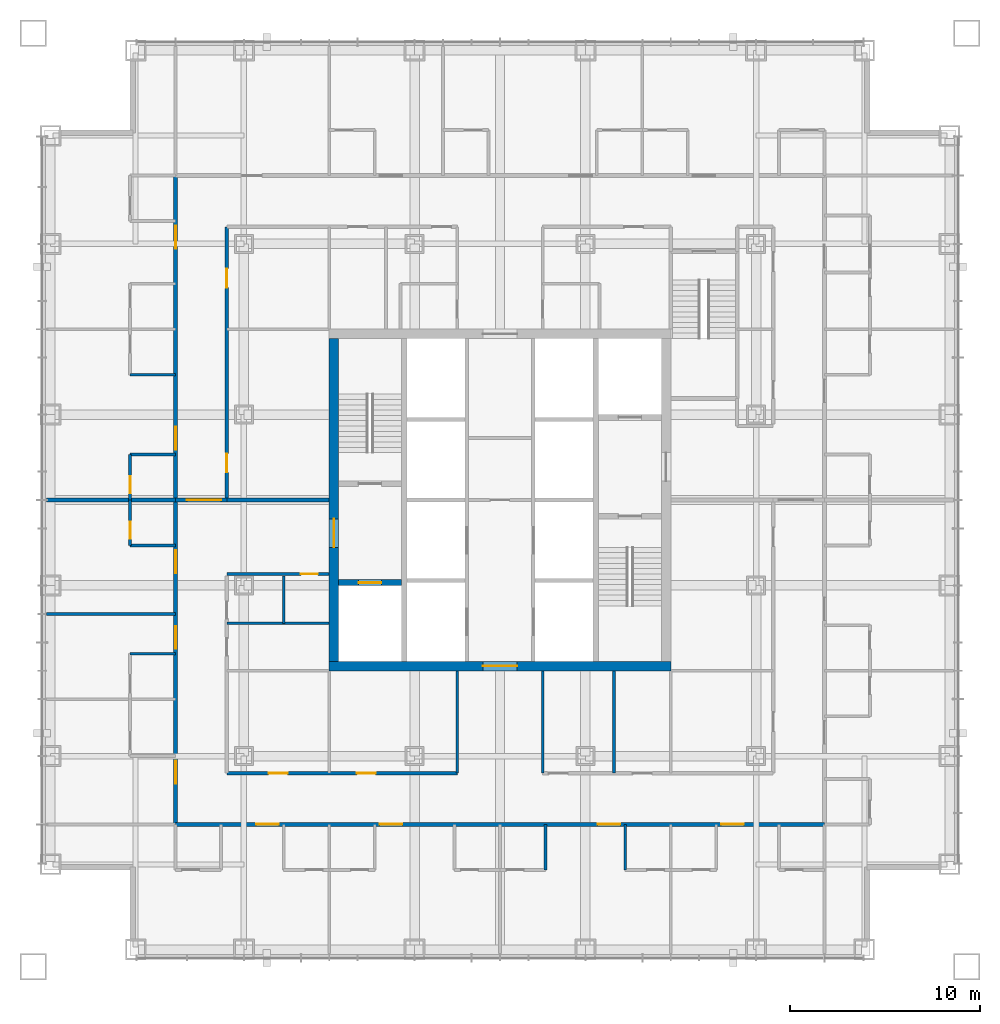
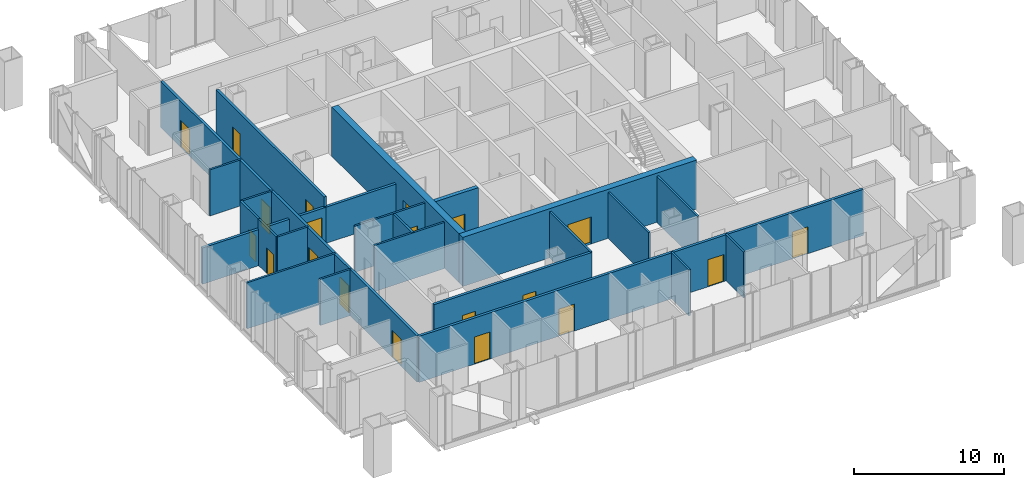
# One storey, part 9 of 14: 25 walls, 20 doors, 20 openings.
"""IFC4 building model written with IfcOpenShell, lengths in metres."""

from ifc_helpers import new_model, si_unit, direction, frame, frame_2d, origin, place, context, subcontext, project, spatial, rectangle, extrude, material, layer, layer_set, type_object, element, fill, save


model = new_model("IFC4")

# Units and contexts
model_context = context("Model", 3, precision=1e-05, world=origin(), true_north=direction((0.0, 1.0)))
body_context = subcontext(model_context, "Body", "Model", "MODEL_VIEW")
ifc_project = project(units=[si_unit("LENGTHUNIT", "METRE"), si_unit("AREAUNIT", "SQUARE_METRE"), si_unit("VOLUMEUNIT", "CUBIC_METRE"), si_unit("PLANEANGLEUNIT", "RADIAN"), si_unit("MASSUNIT", "GRAM", prefix="KILO")], contexts=[model_context])

# Site, building, storey
site_placement = place(None, origin())
site = spatial("IfcSite", under=ifc_project, at=site_placement, CompositionType="ELEMENT")
building_placement = place(site_placement, origin())
building = spatial("IfcBuilding", under=site, at=building_placement, Name="Malebo Sky Hospital", CompositionType="ELEMENT")
storey_placement = place(building_placement, frame((0.0, 0.0, 164.0)))
storey = spatial("IfcBuildingStorey", under=building, at=storey_placement, Name="L39", CompositionType="ELEMENT", Elevation=164.0)

# Wall, opening, door
ifc_material_1 = material(Name="Concrete C80/95", Category="concrete")
ifc_layer_1 = layer(ifc_material_1, 0.300048828125)
ifc_layer_set_1 = layer_set([ifc_layer_1], Name="CORE INNER WALL 300")
wall_type_1 = type_object("IfcWallType", Name="CORE INNER WALL 300", PredefinedType="SHEAR", material=ifc_layer_set_1)
wall_1_placement = place(storey_placement, frame((51.5, 57.64990234375, 0.0), z_axis=(0.0, 0.0, 1.0), x_axis=(1.0, 0.0, 0.0)))
wall_1 = element("IfcWall", 1, at=wall_1_placement, inside=storey, type_object=wall_type_1, Name="Core wall W2 L39", PredefinedType="SHEAR", context=body_context, shape_type="SweptSolid", body=[
    extrude(rectangle(XDim=3.300048828125, YDim=0.300048828125, at=frame_2d((1.64990234375, 0.0))), origin(), (0.0, 0.0, 1.0), 4.0),
])
opening_1_placement = place(wall_1_placement, frame((1.050048828125, 0.0, 0.0)))
opening_1 = element("IfcOpeningElement", 2, at=opening_1_placement, cuts=wall_1, Name="Opening LD2", PredefinedType="OPENING", context=body_context, shape_type="SweptSolid", body=[
    extrude(rectangle(XDim=1.199951171875, YDim=2.199951171875, at=frame_2d((0.60009765625, 1.10009765625))), frame((0.0, 0.159912109375, 0.0), z_axis=(0.0, -1.0, 0.0), x_axis=(1.0, 0.0, 0.0)), (0.0, 0.0, 1.0), 0.320068359375),
])
ifc_material_2 = material(Name="Stainless steel sliding landing door", Category="steel")
door_type_1 = type_object("IfcDoorType", Name="FIRE-FIGHTING LIFT LANDING DOOR 1200", OperationType="SLIDING_TO_LEFT", PredefinedType="DOOR", material=ifc_material_2)
door_1_placement = place(opening_1_placement, origin())
door_1 = element("IfcDoor", 3, at=door_1_placement, inside=storey, type_object=door_type_1, Name="Lift FL1 landing door", OperationType="SLIDING_TO_LEFT", OverallHeight=2.199951171875, OverallWidth=1.199951171875, PredefinedType="DOOR", context=body_context, shape_type="SweptSolid", body=[
    extrude(rectangle(XDim=1.199951171875, YDim=2.199951171875, at=frame_2d((0.60009765625, 1.10009765625))), frame((0.0, 0.02490234375, 0.0), z_axis=(0.0, -1.0, 0.0), x_axis=(1.0, 0.0, 0.0)), (0.0, 0.0, 1.0), 0.050048828125),
])
fill(opening_1, door_1)

ifc_layer_2 = layer(ifc_material_1, 0.5)
ifc_layer_set_2 = layer_set([ifc_layer_2], Name="CORE WALL 500")
wall_type_2 = type_object("IfcWallType", Name="CORE WALL 500", PredefinedType="SHEAR", material=ifc_layer_set_2)
wall_2_placement = place(storey_placement, frame((51.0, 53.25, 0.0), z_axis=(0.0, 0.0, 1.0), x_axis=(1.0, 0.0, 0.0)))
wall_2 = element("IfcWall", 4, at=wall_2_placement, inside=storey, type_object=wall_type_2, Name="Core wall S L39", PredefinedType="SHEAR", context=body_context, shape_type="SweptSolid", body=[
    extrude(rectangle(XDim=18.0, YDim=0.5, at=frame_2d((9.0, 0.0))), origin(), (0.0, 0.0, 1.0), 4.0),
])
opening_2_placement = place(wall_2_placement, frame((8.10009765625, 0.0, 0.0)))
opening_2 = element("IfcOpeningElement", 5, at=opening_2_placement, cuts=wall_2, Name="Opening D06", PredefinedType="OPENING", context=body_context, shape_type="SweptSolid", body=[
    extrude(rectangle(XDim=1.800048828125, YDim=2.199951171875, at=frame_2d((0.89990234375, 1.10009765625))), frame((0.0, 0.260009765625, 0.0), z_axis=(0.0, -1.0, 0.0), x_axis=(1.0, 0.0, 0.0)), (0.0, 0.0, 1.0), 0.52001953125),
])
ifc_material_3 = material(Name="Hardwood-faced door leaf in steel frame", Category="steel")
door_type_2 = type_object("IfcDoorType", Name="LOBBY DOOR PAIR 1800", OperationType="DOUBLE_DOOR_SINGLE_SWING", PredefinedType="DOOR", material=ifc_material_3)
door_2_placement = place(opening_2_placement, origin())
door_2 = element("IfcDoor", 6, at=door_2_placement, inside=storey, type_object=door_type_2, Name="Lift lobby door south", OperationType="DOUBLE_DOOR_SINGLE_SWING", OverallHeight=2.199951171875, OverallWidth=1.800048828125, PredefinedType="DOOR", context=body_context, shape_type="SweptSolid", body=[
    extrude(rectangle(XDim=1.800048828125, YDim=2.199951171875, at=frame_2d((0.89990234375, 1.10009765625))), frame((0.0, 0.02490234375, 0.0), z_axis=(0.0, -1.0, 0.0), x_axis=(1.0, 0.0, 0.0)), (0.0, 0.0, 1.0), 0.050048828125),
])
fill(opening_2, door_2)

wall_3_placement = place(storey_placement, frame((51.25, 53.5, 0.0), z_axis=(0.0, 0.0, 1.0), x_axis=(0.0, 1.0, 0.0)))
wall_3 = element("IfcWall", 7, at=wall_3_placement, inside=storey, type_object=wall_type_2, Name="Core wall W L39", PredefinedType="SHEAR", context=body_context, shape_type="SweptSolid", body=[
    extrude(rectangle(XDim=17.0, YDim=0.5, at=frame_2d((8.5, 0.0))), origin(), (0.0, 0.0, 1.0), 4.0),
])
opening_3_placement = place(wall_3_placement, frame((6.0, 0.0, 0.0)))
opening_3 = element("IfcOpeningElement", 8, at=opening_3_placement, cuts=wall_3, Name="Opening D07", PredefinedType="OPENING", context=body_context, shape_type="SweptSolid", body=[
    extrude(rectangle(XDim=1.5, YDim=2.199951171875, at=frame_2d((0.75, 1.10009765625))), frame((0.0, 0.260009765625, 0.0), z_axis=(0.0, -1.0, 0.0), x_axis=(1.0, 0.0, 0.0)), (0.0, 0.0, 1.0), 0.52001953125),
])
door_type_3 = type_object("IfcDoorType", Name="FIRE-FIGHTING LOBBY DOOR PAIR 1500", OperationType="DOUBLE_DOOR_SINGLE_SWING", PredefinedType="DOOR", material=ifc_material_3)
door_3_placement = place(opening_3_placement, origin())
door_3 = element("IfcDoor", 9, at=door_3_placement, inside=storey, type_object=door_type_3, Name="Fire-fighting lobby door west", OperationType="DOUBLE_DOOR_SINGLE_SWING", OverallHeight=2.199951171875, OverallWidth=1.5, PredefinedType="DOOR", context=body_context, shape_type="SweptSolid", body=[
    extrude(rectangle(XDim=1.5, YDim=2.199951171875, at=frame_2d((0.75, 1.10009765625))), frame((0.0, 0.02490234375, 0.0), z_axis=(0.0, -1.0, 0.0), x_axis=(1.0, 0.0, 0.0)), (0.0, 0.0, 1.0), 0.050048828125),
])
fill(opening_3, door_3)

# Wall, openings, doors
ifc_material_4 = material(Name="Gypsum board on steel studs", Category="steel")
ifc_layer_3 = layer(ifc_material_4, 0.199951171875)
ifc_layer_set_3 = layer_set([ifc_layer_3], Name="CORRIDOR WALL 200")
wall_type_3 = type_object("IfcWallType", Name="CORRIDOR WALL 200", PredefinedType="PARTITIONING", material=ifc_layer_set_3)
wall_4_placement = place(storey_placement, frame((42.89990234375, 44.89990234375, 0.0), z_axis=(0.0, 0.0, 1.0), x_axis=(0.0, 1.0, 0.0)))
wall_4 = element("IfcWall", 10, at=wall_4_placement, inside=storey, type_object=wall_type_3, Name="Corridor Wall 200 WCO", PredefinedType="PARTITIONING", context=body_context, shape_type="SweptSolid", body=[
    extrude(rectangle(XDim=34.2001953125, YDim=0.199951171875, at=frame_2d((17.10009765625, 0.0))), origin(), (0.0, 0.0, 1.0), 3.75),
])
opening_4_placement = place(wall_4_placement, frame((2.14990234375, 0.0, 0.0)))
opening_4 = element("IfcOpeningElement", 11, at=opening_4_placement, cuts=wall_4, Name="Opening D01", PredefinedType="OPENING", context=body_context, shape_type="SweptSolid", body=[
    extrude(rectangle(XDim=1.199951171875, YDim=2.199951171875, at=frame_2d((0.60009765625, 1.10009765625))), frame((0.0, 0.10986328125, 0.0), z_axis=(0.0, -1.0, 0.0), x_axis=(1.0, 0.0, 0.0)), (0.0, 0.0, 1.0), 0.219970703125),
])
opening_5_placement = place(wall_4_placement, frame((9.25, 0.0, 0.0)))
opening_5 = element("IfcOpeningElement", 12, at=opening_5_placement, cuts=wall_4, Name="Opening D01", PredefinedType="OPENING", context=body_context, shape_type="SweptSolid", body=[
    extrude(rectangle(XDim=1.199951171875, YDim=2.199951171875, at=frame_2d((0.60009765625, 1.10009765625))), frame((0.0, 0.10986328125, 0.0), z_axis=(0.0, -1.0, 0.0), x_axis=(1.0, 0.0, 0.0)), (0.0, 0.0, 1.0), 0.219970703125),
])
opening_6_placement = place(wall_4_placement, frame((13.25, 0.0, 0.0)))
opening_6 = element("IfcOpeningElement", 13, at=opening_6_placement, cuts=wall_4, Name="Opening D01", PredefinedType="OPENING", context=body_context, shape_type="SweptSolid", body=[
    extrude(rectangle(XDim=1.199951171875, YDim=2.199951171875, at=frame_2d((0.60009765625, 1.10009765625))), frame((0.0, 0.10986328125, 0.0), z_axis=(0.0, -1.0, 0.0), x_axis=(1.0, 0.0, 0.0)), (0.0, 0.0, 1.0), 0.219970703125),
])
opening_7_placement = place(wall_4_placement, frame((19.75, 0.0, 0.0)))
opening_7 = element("IfcOpeningElement", 14, at=opening_7_placement, cuts=wall_4, Name="Opening D01", PredefinedType="OPENING", context=body_context, shape_type="SweptSolid", body=[
    extrude(rectangle(XDim=1.199951171875, YDim=2.199951171875, at=frame_2d((0.60009765625, 1.10009765625))), frame((0.0, 0.10986328125, 0.0), z_axis=(0.0, -1.0, 0.0), x_axis=(1.0, 0.0, 0.0)), (0.0, 0.0, 1.0), 0.219970703125),
])
opening_8_placement = place(wall_4_placement, frame((30.35009765625, 0.0, 0.0)))
opening_8 = element("IfcOpeningElement", 15, at=opening_8_placement, cuts=wall_4, Name="Opening D01", PredefinedType="OPENING", context=body_context, shape_type="SweptSolid", body=[
    extrude(rectangle(XDim=1.199951171875, YDim=2.199951171875, at=frame_2d((0.60009765625, 1.10009765625))), frame((0.0, 0.10986328125, 0.0), z_axis=(0.0, -1.0, 0.0), x_axis=(1.0, 0.0, 0.0)), (0.0, 0.0, 1.0), 0.219970703125),
])
door_type_4 = type_object("IfcDoorType", Name="BED DOOR 1200", OperationType="SINGLE_SWING_LEFT", PredefinedType="DOOR", material=ifc_material_3)
door_4_placement = place(opening_4_placement, origin())
door_4 = element("IfcDoor", 16, at=door_4_placement, inside=storey, type_object=door_type_4, Name="Two-bed room door", OperationType="SINGLE_SWING_RIGHT", OverallHeight=2.199951171875, OverallWidth=1.199951171875, PredefinedType="DOOR", context=body_context, shape_type="SweptSolid", body=[
    extrude(rectangle(XDim=1.199951171875, YDim=2.199951171875, at=frame_2d((0.60009765625, 1.10009765625))), frame((0.0, 0.02490234375, 0.0), z_axis=(0.0, -1.0, 0.0), x_axis=(1.0, 0.0, 0.0)), (0.0, 0.0, 1.0), 0.050048828125),
])
fill(opening_4, door_4)
door_5_placement = place(opening_5_placement, origin())
door_5 = element("IfcDoor", 17, at=door_5_placement, inside=storey, type_object=door_type_4, Name="Single bed room door", OperationType="SINGLE_SWING_LEFT", OverallHeight=2.199951171875, OverallWidth=1.199951171875, PredefinedType="DOOR", context=body_context, shape_type="SweptSolid", body=[
    extrude(rectangle(XDim=1.199951171875, YDim=2.199951171875, at=frame_2d((0.60009765625, 1.10009765625))), frame((0.0, 0.02490234375, 0.0), z_axis=(0.0, -1.0, 0.0), x_axis=(1.0, 0.0, 0.0)), (0.0, 0.0, 1.0), 0.050048828125),
])
fill(opening_5, door_5)
door_6_placement = place(opening_6_placement, origin())
door_6 = element("IfcDoor", 18, at=door_6_placement, inside=storey, type_object=door_type_4, Name="Single bed room door", OperationType="SINGLE_SWING_RIGHT", OverallHeight=2.199951171875, OverallWidth=1.199951171875, PredefinedType="DOOR", context=body_context, shape_type="SweptSolid", body=[
    extrude(rectangle(XDim=1.199951171875, YDim=2.199951171875, at=frame_2d((0.60009765625, 1.10009765625))), frame((0.0, 0.02490234375, 0.0), z_axis=(0.0, -1.0, 0.0), x_axis=(1.0, 0.0, 0.0)), (0.0, 0.0, 1.0), 0.050048828125),
])
fill(opening_6, door_6)
door_7_placement = place(opening_7_placement, origin())
door_7 = element("IfcDoor", 19, at=door_7_placement, inside=storey, type_object=door_type_4, Name="Four-bed bay door", OperationType="SINGLE_SWING_LEFT", OverallHeight=2.199951171875, OverallWidth=1.199951171875, PredefinedType="DOOR", context=body_context, shape_type="SweptSolid", body=[
    extrude(rectangle(XDim=1.199951171875, YDim=2.199951171875, at=frame_2d((0.60009765625, 1.10009765625))), frame((0.0, 0.02490234375, 0.0), z_axis=(0.0, -1.0, 0.0), x_axis=(1.0, 0.0, 0.0)), (0.0, 0.0, 1.0), 0.050048828125),
])
fill(opening_7, door_7)
door_8_placement = place(opening_8_placement, origin())
door_8 = element("IfcDoor", 20, at=door_8_placement, inside=storey, type_object=door_type_4, Name="Four-bed bay door", OperationType="SINGLE_SWING_RIGHT", OverallHeight=2.199951171875, OverallWidth=1.199951171875, PredefinedType="DOOR", context=body_context, shape_type="SweptSolid", body=[
    extrude(rectangle(XDim=1.199951171875, YDim=2.199951171875, at=frame_2d((0.60009765625, 1.10009765625))), frame((0.0, 0.02490234375, 0.0), z_axis=(0.0, -1.0, 0.0), x_axis=(1.0, 0.0, 0.0)), (0.0, 0.0, 1.0), 0.050048828125),
])
fill(opening_8, door_8)

wall_5_placement = place(storey_placement, frame((45.60009765625, 62.0, 0.0), z_axis=(0.0, 0.0, 1.0), x_axis=(0.0, 1.0, 0.0)))
wall_5 = element("IfcWall", 21, at=wall_5_placement, inside=storey, type_object=wall_type_3, Name="Corridor Wall 200 WCI2", PredefinedType="PARTITIONING", context=body_context, shape_type="SweptSolid", body=[
    extrude(rectangle(XDim=14.39990234375, YDim=0.199951171875, at=frame_2d((7.199951171875, 0.0))), origin(), (0.0, 0.0, 1.0), 3.75),
])
opening_9_placement = place(wall_5_placement, frame((1.449951171875, 0.0, 0.0)))
opening_9 = element("IfcOpeningElement", 22, at=opening_9_placement, cuts=wall_5, Name="Opening D03", PredefinedType="OPENING", context=body_context, shape_type="SweptSolid", body=[
    extrude(rectangle(XDim=1.0, YDim=2.10009765625, at=frame_2d((0.5, 1.050048828125))), frame((0.0, 0.10986328125, 0.0), z_axis=(0.0, -1.0, 0.0), x_axis=(1.0, 0.0, 0.0)), (0.0, 0.0, 1.0), 0.219970703125),
])
opening_10_placement = place(wall_5_placement, frame((11.199951171875, 0.0, 0.0)))
opening_10 = element("IfcOpeningElement", 23, at=opening_10_placement, cuts=wall_5, Name="Opening D03", PredefinedType="OPENING", context=body_context, shape_type="SweptSolid", body=[
    extrude(rectangle(XDim=1.0, YDim=2.10009765625, at=frame_2d((0.5, 1.050048828125))), frame((0.0, 0.10986328125, 0.0), z_axis=(0.0, -1.0, 0.0), x_axis=(1.0, 0.0, 0.0)), (0.0, 0.0, 1.0), 0.219970703125),
])
door_type_5 = type_object("IfcDoorType", Name="ROOM DOOR 1000", OperationType="SINGLE_SWING_LEFT", PredefinedType="DOOR", material=ifc_material_3)
door_9_placement = place(opening_9_placement, origin())
door_9 = element("IfcDoor", 24, at=door_9_placement, inside=storey, type_object=door_type_5, Name="Nurse station door", OperationType="SINGLE_SWING_LEFT", OverallHeight=2.10009765625, OverallWidth=1.0, PredefinedType="DOOR", context=body_context, shape_type="SweptSolid", body=[
    extrude(rectangle(XDim=1.0, YDim=2.10009765625, at=frame_2d((0.5, 1.050048828125))), frame((0.0, 0.02490234375, 0.0), z_axis=(0.0, -1.0, 0.0), x_axis=(1.0, 0.0, 0.0)), (0.0, 0.0, 1.0), 0.050048828125),
])
fill(opening_9, door_9)
door_10_placement = place(opening_10_placement, origin())
door_10 = element("IfcDoor", 25, at=door_10_placement, inside=storey, type_object=door_type_5, Name="Ward pantry door", OperationType="SINGLE_SWING_RIGHT", OverallHeight=2.10009765625, OverallWidth=1.0, PredefinedType="DOOR", context=body_context, shape_type="SweptSolid", body=[
    extrude(rectangle(XDim=1.0, YDim=2.10009765625, at=frame_2d((0.5, 1.050048828125))), frame((0.0, 0.02490234375, 0.0), z_axis=(0.0, -1.0, 0.0), x_axis=(1.0, 0.0, 0.0)), (0.0, 0.0, 1.0), 0.050048828125),
])
fill(opening_10, door_10)

wall_6_placement = place(storey_placement, frame((77.10009765625, 44.89990234375, 0.0), z_axis=(0.0, 0.0, 1.0), x_axis=(-1.0, 0.0, 0.0)))
wall_6 = element("IfcWall", 26, at=wall_6_placement, inside=storey, type_object=wall_type_3, Name="Corridor Wall 200 SCO", PredefinedType="PARTITIONING", context=body_context, shape_type="SweptSolid", body=[
    extrude(rectangle(XDim=34.2001953125, YDim=0.199951171875, at=frame_2d((17.10009765625, 0.0))), origin(), (0.0, 0.0, 1.0), 3.75),
])
opening_11_placement = place(wall_6_placement, frame((4.25, 0.0, 0.0)))
opening_11 = element("IfcOpeningElement", 27, at=opening_11_placement, cuts=wall_6, Name="Opening D01", PredefinedType="OPENING", context=body_context, shape_type="SweptSolid", body=[
    extrude(rectangle(XDim=1.199951171875, YDim=2.199951171875, at=frame_2d((0.60009765625, 1.10009765625))), frame((0.0, 0.10986328125, 0.0), z_axis=(0.0, -1.0, 0.0), x_axis=(1.0, 0.0, 0.0)), (0.0, 0.0, 1.0), 0.219970703125),
])
opening_12_placement = place(wall_6_placement, frame((10.75, 0.0, 0.0)))
opening_12 = element("IfcOpeningElement", 28, at=opening_12_placement, cuts=wall_6, Name="Opening D01", PredefinedType="OPENING", context=body_context, shape_type="SweptSolid", body=[
    extrude(rectangle(XDim=1.199951171875, YDim=2.199951171875, at=frame_2d((0.60009765625, 1.10009765625))), frame((0.0, 0.10986328125, 0.0), z_axis=(0.0, -1.0, 0.0), x_axis=(1.0, 0.0, 0.0)), (0.0, 0.0, 1.0), 0.219970703125),
])
opening_13_placement = place(wall_6_placement, frame((22.25, 0.0, 0.0)))
opening_13 = element("IfcOpeningElement", 29, at=opening_13_placement, cuts=wall_6, Name="Opening D01", PredefinedType="OPENING", context=body_context, shape_type="SweptSolid", body=[
    extrude(rectangle(XDim=1.199951171875, YDim=2.199951171875, at=frame_2d((0.60009765625, 1.10009765625))), frame((0.0, 0.10986328125, 0.0), z_axis=(0.0, -1.0, 0.0), x_axis=(1.0, 0.0, 0.0)), (0.0, 0.0, 1.0), 0.219970703125),
])
opening_14_placement = place(wall_6_placement, frame((28.75, 0.0, 0.0)))
opening_14 = element("IfcOpeningElement", 30, at=opening_14_placement, cuts=wall_6, Name="Opening D01", PredefinedType="OPENING", context=body_context, shape_type="SweptSolid", body=[
    extrude(rectangle(XDim=1.199951171875, YDim=2.199951171875, at=frame_2d((0.60009765625, 1.10009765625))), frame((0.0, 0.10986328125, 0.0), z_axis=(0.0, -1.0, 0.0), x_axis=(1.0, 0.0, 0.0)), (0.0, 0.0, 1.0), 0.219970703125),
])
door_11_placement = place(opening_11_placement, origin())
door_11 = element("IfcDoor", 31, at=door_11_placement, inside=storey, type_object=door_type_4, Name="Four-bed bay door", OperationType="SINGLE_SWING_RIGHT", OverallHeight=2.199951171875, OverallWidth=1.199951171875, PredefinedType="DOOR", context=body_context, shape_type="SweptSolid", body=[
    extrude(rectangle(XDim=1.199951171875, YDim=2.199951171875, at=frame_2d((0.60009765625, 1.10009765625))), frame((0.0, 0.02490234375, 0.0), z_axis=(0.0, -1.0, 0.0), x_axis=(1.0, 0.0, 0.0)), (0.0, 0.0, 1.0), 0.050048828125),
])
fill(opening_11, door_11)
door_12_placement = place(opening_12_placement, origin())
door_12 = element("IfcDoor", 32, at=door_12_placement, inside=storey, type_object=door_type_4, Name="Four-bed bay door", OperationType="SINGLE_SWING_LEFT", OverallHeight=2.199951171875, OverallWidth=1.199951171875, PredefinedType="DOOR", context=body_context, shape_type="SweptSolid", body=[
    extrude(rectangle(XDim=1.199951171875, YDim=2.199951171875, at=frame_2d((0.60009765625, 1.10009765625))), frame((0.0, 0.02490234375, 0.0), z_axis=(0.0, -1.0, 0.0), x_axis=(1.0, 0.0, 0.0)), (0.0, 0.0, 1.0), 0.050048828125),
])
fill(opening_12, door_12)
door_13_placement = place(opening_13_placement, origin())
door_13 = element("IfcDoor", 33, at=door_13_placement, inside=storey, type_object=door_type_4, Name="Four-bed bay door", OperationType="SINGLE_SWING_RIGHT", OverallHeight=2.199951171875, OverallWidth=1.199951171875, PredefinedType="DOOR", context=body_context, shape_type="SweptSolid", body=[
    extrude(rectangle(XDim=1.199951171875, YDim=2.199951171875, at=frame_2d((0.60009765625, 1.10009765625))), frame((0.0, 0.02490234375, 0.0), z_axis=(0.0, -1.0, 0.0), x_axis=(1.0, 0.0, 0.0)), (0.0, 0.0, 1.0), 0.050048828125),
])
fill(opening_13, door_13)
door_14_placement = place(opening_14_placement, origin())
door_14 = element("IfcDoor", 34, at=door_14_placement, inside=storey, type_object=door_type_4, Name="Four-bed bay door", OperationType="SINGLE_SWING_LEFT", OverallHeight=2.199951171875, OverallWidth=1.199951171875, PredefinedType="DOOR", context=body_context, shape_type="SweptSolid", body=[
    extrude(rectangle(XDim=1.199951171875, YDim=2.199951171875, at=frame_2d((0.60009765625, 1.10009765625))), frame((0.0, 0.02490234375, 0.0), z_axis=(0.0, -1.0, 0.0), x_axis=(1.0, 0.0, 0.0)), (0.0, 0.0, 1.0), 0.050048828125),
])
fill(opening_14, door_14)

wall_7_placement = place(storey_placement, frame((57.75, 47.60009765625, 0.0), z_axis=(0.0, 0.0, 1.0), x_axis=(-1.0, 0.0, 0.0)))
wall_7 = element("IfcWall", 35, at=wall_7_placement, inside=storey, type_object=wall_type_3, Name="Corridor Wall 200 SCI2", PredefinedType="PARTITIONING", context=body_context, shape_type="SweptSolid", body=[
    extrude(rectangle(XDim=12.14990234375, YDim=0.199951171875, at=frame_2d((6.074951171875, 0.0))), origin(), (0.0, 0.0, 1.0), 3.75),
])
opening_15_placement = place(wall_7_placement, frame((4.300048828125, 0.0, 0.0)))
opening_15 = element("IfcOpeningElement", 36, at=opening_15_placement, cuts=wall_7, Name="Opening D03", PredefinedType="OPENING", context=body_context, shape_type="SweptSolid", body=[
    extrude(rectangle(XDim=1.0, YDim=2.10009765625, at=frame_2d((0.5, 1.050048828125))), frame((0.0, 0.10986328125, 0.0), z_axis=(0.0, -1.0, 0.0), x_axis=(1.0, 0.0, 0.0)), (0.0, 0.0, 1.0), 0.219970703125),
])
opening_16_placement = place(wall_7_placement, frame((8.949951171875, 0.0, 0.0)))
opening_16 = element("IfcOpeningElement", 37, at=opening_16_placement, cuts=wall_7, Name="Opening D03", PredefinedType="OPENING", context=body_context, shape_type="SweptSolid", body=[
    extrude(rectangle(XDim=1.0, YDim=2.10009765625, at=frame_2d((0.5, 1.050048828125))), frame((0.0, 0.10986328125, 0.0), z_axis=(0.0, -1.0, 0.0), x_axis=(1.0, 0.0, 0.0)), (0.0, 0.0, 1.0), 0.219970703125),
])
door_15_placement = place(opening_15_placement, origin())
door_15 = element("IfcDoor", 38, at=door_15_placement, inside=storey, type_object=door_type_5, Name="Treatment room door", OperationType="SINGLE_SWING_RIGHT", OverallHeight=2.10009765625, OverallWidth=1.0, PredefinedType="DOOR", context=body_context, shape_type="SweptSolid", body=[
    extrude(rectangle(XDim=1.0, YDim=2.10009765625, at=frame_2d((0.5, 1.050048828125))), frame((0.0, 0.02490234375, 0.0), z_axis=(0.0, -1.0, 0.0), x_axis=(1.0, 0.0, 0.0)), (0.0, 0.0, 1.0), 0.050048828125),
])
fill(opening_15, door_15)
door_16_placement = place(opening_16_placement, origin())
door_16 = element("IfcDoor", 39, at=door_16_placement, inside=storey, type_object=door_type_5, Name="Staff base door", OperationType="SINGLE_SWING_RIGHT", OverallHeight=2.10009765625, OverallWidth=1.0, PredefinedType="DOOR", context=body_context, shape_type="SweptSolid", body=[
    extrude(rectangle(XDim=1.0, YDim=2.10009765625, at=frame_2d((0.5, 1.050048828125))), frame((0.0, 0.02490234375, 0.0), z_axis=(0.0, -1.0, 0.0), x_axis=(1.0, 0.0, 0.0)), (0.0, 0.0, 1.0), 0.050048828125),
])
fill(opening_16, door_16)

# Walls
ifc_layer_4 = layer(ifc_material_4, 0.14990234375)
ifc_layer_set_4 = layer_set([ifc_layer_4], Name="PARTITION 150")
wall_type_4 = type_object("IfcWallType", Name="PARTITION 150", PredefinedType="PARTITIONING", material=ifc_layer_set_4)
wall_8_placement = place(storey_placement, frame((42.89990234375, 56.0, 0.0), z_axis=(0.0, 0.0, 1.0), x_axis=(-1.0, 0.0, 0.0)))
element("IfcWall", 40, at=wall_8_placement, inside=storey, type_object=wall_type_4, Name="Partition 150 WP-6.0", PredefinedType="PARTITIONING", context=body_context, shape_type="SweptSolid", body=[
    extrude(rectangle(XDim=6.809814453125, YDim=0.14990234375, at=frame_2d((3.40478515625, 0.0))), origin(), (0.0, 0.0, 1.0), 3.75),
])
wall_9_placement = place(storey_placement, frame((42.89990234375, 53.89990234375, 0.0), z_axis=(0.0, 0.0, 1.0), x_axis=(-1.0, 0.0, 0.0)))
element("IfcWall", 41, at=wall_9_placement, inside=storey, type_object=wall_type_4, Name="Partition 150 WE1S", PredefinedType="PARTITIONING", context=body_context, shape_type="SweptSolid", body=[
    extrude(rectangle(XDim=2.39990234375, YDim=0.14990234375, at=frame_2d((1.199951171875, 0.0))), origin(), (0.0, 0.0, 1.0), 3.75),
])

# Wall, opening, door
wall_10_placement = place(storey_placement, frame((40.5, 59.60009765625, 0.0), z_axis=(0.0, 0.0, 1.0), x_axis=(0.0, 1.0, 0.0)))
wall_10 = element("IfcWall", 42, at=wall_10_placement, inside=storey, type_object=wall_type_4, Name="Partition 150 WE2F", PredefinedType="PARTITIONING", context=body_context, shape_type="SweptSolid", body=[
    extrude(rectangle(XDim=2.39990234375, YDim=0.14990234375, at=frame_2d((1.199951171875, 0.0))), origin(), (0.0, 0.0, 1.0), 3.75),
])
opening_17_placement = place(wall_10_placement, frame((0.35009765625, 0.0, 0.0)))
opening_17 = element("IfcOpeningElement", 43, at=opening_17_placement, cuts=wall_10, Name="Opening D02", PredefinedType="OPENING", context=body_context, shape_type="SweptSolid", body=[
    extrude(rectangle(XDim=0.89990234375, YDim=2.10009765625, at=frame_2d((0.449951171875, 1.050048828125))), frame((0.0, 0.0849609375, 0.0), z_axis=(0.0, -1.0, 0.0), x_axis=(1.0, 0.0, 0.0)), (0.0, 0.0, 1.0), 0.169921875),
])
door_type_6 = type_object("IfcDoorType", Name="EN-SUITE DOOR 900", OperationType="SINGLE_SWING_LEFT", PredefinedType="DOOR", material=ifc_material_3)
door_17_placement = place(opening_17_placement, origin())
door_17 = element("IfcDoor", 44, at=door_17_placement, inside=storey, type_object=door_type_6, Name="En-suite door", OperationType="SINGLE_SWING_LEFT", OverallHeight=2.10009765625, OverallWidth=0.89990234375, PredefinedType="DOOR", context=body_context, shape_type="SweptSolid", body=[
    extrude(rectangle(XDim=0.89990234375, YDim=2.10009765625, at=frame_2d((0.449951171875, 1.050048828125))), frame((0.0, 0.02490234375, 0.0), z_axis=(0.0, -1.0, 0.0), x_axis=(1.0, 0.0, 0.0)), (0.0, 0.0, 1.0), 0.050048828125),
])
fill(opening_17, door_17)

# Wall
wall_11_placement = place(storey_placement, frame((42.89990234375, 59.60009765625, 0.0), z_axis=(0.0, 0.0, 1.0), x_axis=(-1.0, 0.0, 0.0)))
element("IfcWall", 45, at=wall_11_placement, inside=storey, type_object=wall_type_4, Name="Partition 150 WE2S", PredefinedType="PARTITIONING", context=body_context, shape_type="SweptSolid", body=[
    extrude(rectangle(XDim=2.39990234375, YDim=0.14990234375, at=frame_2d((1.199951171875, 0.0))), origin(), (0.0, 0.0, 1.0), 3.75),
])

# Wall, opening, door
wall_12_placement = place(storey_placement, frame((40.5, 62.0, 0.0), z_axis=(0.0, 0.0, 1.0), x_axis=(0.0, 1.0, 0.0)))
wall_12 = element("IfcWall", 46, at=wall_12_placement, inside=storey, type_object=wall_type_4, Name="Partition 150 WE3F", PredefinedType="PARTITIONING", context=body_context, shape_type="SweptSolid", body=[
    extrude(rectangle(XDim=2.39990234375, YDim=0.14990234375, at=frame_2d((1.199951171875, 0.0))), origin(), (0.0, 0.0, 1.0), 3.75),
])
opening_18_placement = place(wall_12_placement, frame((0.35009765625, 0.0, 0.0)))
opening_18 = element("IfcOpeningElement", 47, at=opening_18_placement, cuts=wall_12, Name="Opening D02", PredefinedType="OPENING", context=body_context, shape_type="SweptSolid", body=[
    extrude(rectangle(XDim=0.89990234375, YDim=2.10009765625, at=frame_2d((0.449951171875, 1.050048828125))), frame((0.0, 0.0849609375, 0.0), z_axis=(0.0, -1.0, 0.0), x_axis=(1.0, 0.0, 0.0)), (0.0, 0.0, 1.0), 0.169921875),
])
door_18_placement = place(opening_18_placement, origin())
door_18 = element("IfcDoor", 48, at=door_18_placement, inside=storey, type_object=door_type_6, Name="En-suite door", OperationType="SINGLE_SWING_LEFT", OverallHeight=2.10009765625, OverallWidth=0.89990234375, PredefinedType="DOOR", context=body_context, shape_type="SweptSolid", body=[
    extrude(rectangle(XDim=0.89990234375, YDim=2.10009765625, at=frame_2d((0.449951171875, 1.050048828125))), frame((0.0, 0.02490234375, 0.0), z_axis=(0.0, -1.0, 0.0), x_axis=(1.0, 0.0, 0.0)), (0.0, 0.0, 1.0), 0.050048828125),
])
fill(opening_18, door_18)

# Walls
for number, where, z_axis, x_axis, name in (
    (49, (42.89990234375, 64.39990234375, 0.0), (0.0, 0.0, 1.0), (-1.0, 0.0, 0.0), "Partition 150 WE3S"),
    (50, (42.89990234375, 68.60009765625, 0.0), (0.0, 0.0, 1.0), (-1.0, 0.0, 0.0), "Partition 150 WG3S"),
):
    element("IfcWall", number, at=place(storey_placement, frame(where, z_axis=z_axis, x_axis=x_axis)), inside=storey, type_object=wall_type_4, Name=name, PredefinedType="PARTITIONING", context=body_context, shape_type="SweptSolid", body=[
        extrude(rectangle(XDim=2.39990234375, YDim=0.14990234375, at=frame_2d((1.199951171875, 0.0))), origin(), (0.0, 0.0, 1.0), 3.75),
    ])

# Wall, opening, door
wall_13_placement = place(storey_placement, frame((51.0, 58.10009765625, 0.0), z_axis=(0.0, 0.0, 1.0), x_axis=(-1.0, 0.0, 0.0)))
wall_13 = element("IfcWall", 51, at=wall_13_placement, inside=storey, type_object=wall_type_4, Name="Partition 150 WSPA", PredefinedType="PARTITIONING", context=body_context, shape_type="SweptSolid", body=[
    extrude(rectangle(XDim=5.39990234375, YDim=0.14990234375, at=frame_2d((2.699951171875, 0.0))), origin(), (0.0, 0.0, 1.0), 3.75),
])
opening_19_placement = place(wall_13_placement, frame((0.60009765625, 0.0, 0.0)))
opening_19 = element("IfcOpeningElement", 52, at=opening_19_placement, cuts=wall_13, Name="Opening D04", PredefinedType="OPENING", context=body_context, shape_type="SweptSolid", body=[
    extrude(rectangle(XDim=0.89990234375, YDim=2.10009765625, at=frame_2d((0.449951171875, 1.050048828125))), frame((0.0, 0.0849609375, 0.0), z_axis=(0.0, -1.0, 0.0), x_axis=(1.0, 0.0, 0.0)), (0.0, 0.0, 1.0), 0.169921875),
])
door_type_7 = type_object("IfcDoorType", Name="ROOM DOOR 900", OperationType="SINGLE_SWING_LEFT", PredefinedType="DOOR", material=ifc_material_3)
door_19_placement = place(opening_19_placement, origin())
door_19 = element("IfcDoor", 53, at=door_19_placement, inside=storey, type_object=door_type_7, Name="Cleaner's room door", OperationType="SINGLE_SWING_LEFT", OverallHeight=2.10009765625, OverallWidth=0.89990234375, PredefinedType="DOOR", context=body_context, shape_type="SweptSolid", body=[
    extrude(rectangle(XDim=0.89990234375, YDim=2.10009765625, at=frame_2d((0.449951171875, 1.050048828125))), frame((0.0, 0.02490234375, 0.0), z_axis=(0.0, -1.0, 0.0), x_axis=(1.0, 0.0, 0.0)), (0.0, 0.0, 1.0), 0.050048828125),
])
fill(opening_19, door_19)

# Walls
wall_14_placement = place(storey_placement, frame((51.0, 55.5, 0.0), z_axis=(0.0, 0.0, 1.0), x_axis=(-1.0, 0.0, 0.0)))
element("IfcWall", 54, at=wall_14_placement, inside=storey, type_object=wall_type_4, Name="Partition 150 WSP-6.5", PredefinedType="PARTITIONING", context=body_context, shape_type="SweptSolid", body=[
    extrude(rectangle(XDim=5.39990234375, YDim=0.14990234375, at=frame_2d((2.699951171875, 0.0))), origin(), (0.0, 0.0, 1.0), 3.75),
])
wall_15_placement = place(storey_placement, frame((48.60009765625, 55.5, 0.0), z_axis=(0.0, 0.0, 1.0), x_axis=(0.0, 1.0, 0.0)))
element("IfcWall", 55, at=wall_15_placement, inside=storey, type_object=wall_type_4, Name="Partition 150 WSX1", PredefinedType="PARTITIONING", context=body_context, shape_type="SweptSolid", body=[
    extrude(rectangle(XDim=2.5, YDim=0.14990234375, at=frame_2d((1.25, 0.0))), origin(), (0.0, 0.0, 1.0), 3.75),
])
for number, where, z_axis, x_axis, name in (
    (56, (66.60009765625, 44.89990234375, 0.0), (0.0, 0.0, 1.0), (0.0, -1.0, 0.0), "Partition 150 SE1S"),
    (57, (62.39990234375, 44.89990234375, 0.0), (0.0, 0.0, 1.0), (0.0, -1.0, 0.0), "Partition 150 SG1S"),
):
    element("IfcWall", number, at=place(storey_placement, frame(where, z_axis=z_axis, x_axis=x_axis)), inside=storey, type_object=wall_type_4, Name=name, PredefinedType="PARTITIONING", context=body_context, shape_type="SweptSolid", body=[
        extrude(rectangle(XDim=2.39990234375, YDim=0.14990234375, at=frame_2d((1.199951171875, 0.0))), origin(), (0.0, 0.0, 1.0), 3.75),
    ])
for number, where, z_axis, x_axis, name in (
    (58, (62.25, 53.0, 0.0), (0.0, 0.0, 1.0), (0.0, -1.0, 0.0), "Partition 150 SSPA"),
    (59, (57.75, 53.0, 0.0), (0.0, 0.0, 1.0), (0.0, -1.0, 0.0), "Partition 150 SSPB"),
    (60, (66.0, 53.0, 0.0), (0.0, 0.0, 1.0), (0.0, -1.0, 0.0), "Partition 150 SSP-6.0"),
):
    element("IfcWall", number, at=place(storey_placement, frame(where, z_axis=z_axis, x_axis=x_axis)), inside=storey, type_object=wall_type_4, Name=name, PredefinedType="PARTITIONING", context=body_context, shape_type="SweptSolid", body=[
        extrude(rectangle(XDim=5.39990234375, YDim=0.14990234375, at=frame_2d((2.699951171875, 0.0))), origin(), (0.0, 0.0, 1.0), 3.75),
    ])
ifc_material_5 = material(Name="Concrete blockwork", Category="masonry")
ifc_layer_5 = layer(ifc_material_5, 0.199951171875)
ifc_layer_set_5 = layer_set([ifc_layer_5], Name="SMOKE BARRIER WALL 200")
wall_type_5 = type_object("IfcWallType", Name="SMOKE BARRIER WALL 200", PredefinedType="SOLIDWALL", material=ifc_layer_set_5)
wall_16_placement = place(storey_placement, frame((42.89990234375, 62.0, 0.0), z_axis=(0.0, 0.0, 1.0), x_axis=(-1.0, 0.0, 0.0)))
element("IfcWall", 61, at=wall_16_placement, inside=storey, type_object=wall_type_5, Name="Smoke Barrier Wall 200 WP+0.0", PredefinedType="SOLIDWALL", context=body_context, shape_type="SweptSolid", body=[
    extrude(rectangle(XDim=6.809814453125, YDim=0.199951171875, at=frame_2d((3.40478515625, 0.0))), origin(), (0.0, 0.0, 1.0), 2.949951171875),
])
wall_17_placement = place(storey_placement, frame((51.0, 62.0, 0.0), z_axis=(0.0, 0.0, 1.0), x_axis=(-1.0, 0.0, 0.0)))
element("IfcWall", 62, at=wall_17_placement, inside=storey, type_object=wall_type_5, Name="Smoke Barrier Wall 200 WSPB", PredefinedType="SOLIDWALL", context=body_context, shape_type="SweptSolid", body=[
    extrude(rectangle(XDim=5.39990234375, YDim=0.199951171875, at=frame_2d((2.699951171875, 0.0))), origin(), (0.0, 0.0, 1.0), 2.949951171875),
])

# Wall, opening, door
wall_18_placement = place(storey_placement, frame((45.60009765625, 62.0, 0.0), z_axis=(0.0, 0.0, 1.0), x_axis=(-1.0, 0.0, 0.0)))
wall_18 = element("IfcWall", 63, at=wall_18_placement, inside=storey, type_object=wall_type_5, Name="Smoke Barrier Wall 200 WSB", PredefinedType="SOLIDWALL", context=body_context, shape_type="SweptSolid", body=[
    extrude(rectangle(XDim=2.7001953125, YDim=0.199951171875, at=frame_2d((1.35009765625, 0.0))), origin(), (0.0, 0.0, 1.0), 2.949951171875),
])
opening_20_placement = place(wall_18_placement, frame((0.300048828125, 0.0, 0.0)))
opening_20 = element("IfcOpeningElement", 64, at=opening_20_placement, cuts=wall_18, Name="Opening D05", PredefinedType="OPENING", context=body_context, shape_type="SweptSolid", body=[
    extrude(rectangle(XDim=1.800048828125, YDim=2.199951171875, at=frame_2d((0.89990234375, 1.10009765625))), frame((0.0, 0.10986328125, 0.0), z_axis=(0.0, -1.0, 0.0), x_axis=(1.0, 0.0, 0.0)), (0.0, 0.0, 1.0), 0.219970703125),
])
door_type_8 = type_object("IfcDoorType", Name="SMOKE DOOR PAIR 1800", OperationType="DOUBLE_DOOR_DOUBLE_SWING", PredefinedType="DOOR", material=ifc_material_3)
door_20_placement = place(opening_20_placement, origin())
door_20 = element("IfcDoor", 65, at=door_20_placement, inside=storey, type_object=door_type_8, Name="Smoke compartment door pair", OperationType="DOUBLE_DOOR_DOUBLE_SWING", OverallHeight=2.199951171875, OverallWidth=1.800048828125, PredefinedType="DOOR", context=body_context, shape_type="SweptSolid", body=[
    extrude(rectangle(XDim=1.800048828125, YDim=2.199951171875, at=frame_2d((0.89990234375, 1.10009765625))), frame((0.0, 0.02490234375, 0.0), z_axis=(0.0, -1.0, 0.0), x_axis=(1.0, 0.0, 0.0)), (0.0, 0.0, 1.0), 0.050048828125),
])
fill(opening_20, door_20)

save(model, "model.ifc")
